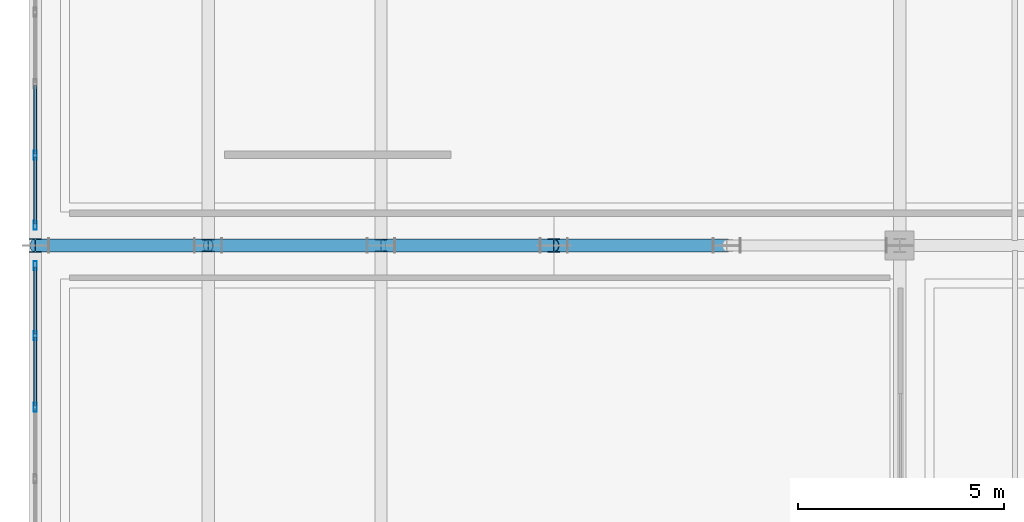
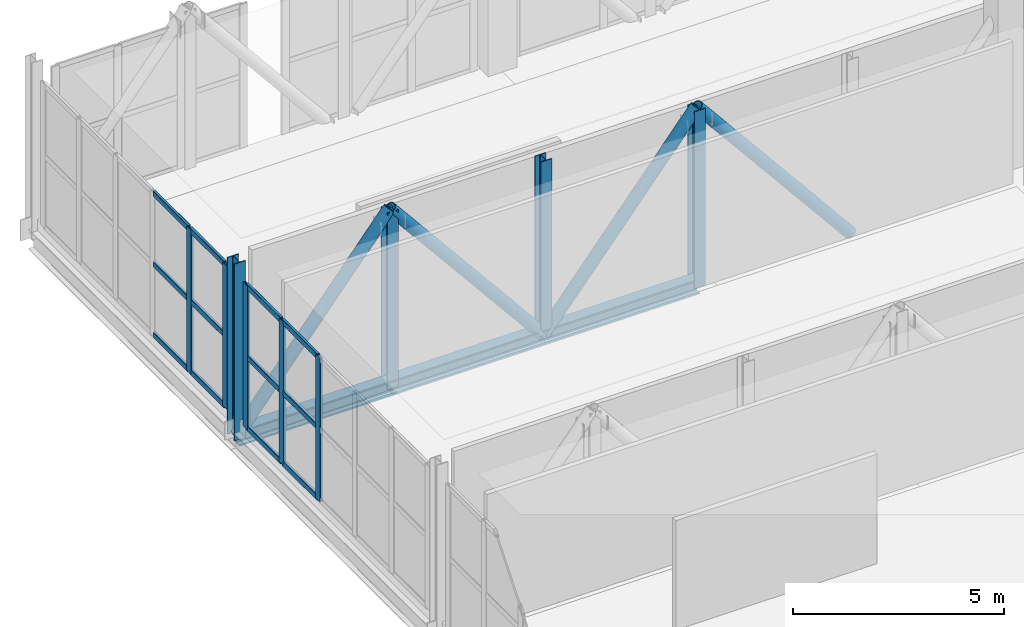
# One storey, part 8 of 77: 28 members, 2 elements without a shape of their own.
"""IFC4 building model written with IfcOpenShell, lengths in metres."""

from ifc_helpers import new_model, si_unit, direction, frame, origin, origin_2d, place, context, subcontext, project, spatial, hollow_rectangle, hollow_circle, i_section, extrude, material, layer, layer_set, material_profile, profile_set, type_object, element, aggregate, save


model = new_model("IFC4")

# Units and contexts
model_context = context("Model", 3, precision=1e-05, world=origin(), true_north=direction((0.0, 1.0)))
body_context = subcontext(model_context, "Body", "Model", "MODEL_VIEW")
ifc_project = project(units=[si_unit("LENGTHUNIT", "METRE"), si_unit("AREAUNIT", "SQUARE_METRE"), si_unit("VOLUMEUNIT", "CUBIC_METRE"), si_unit("PLANEANGLEUNIT", "RADIAN"), si_unit("MASSUNIT", "GRAM", prefix="KILO")], contexts=[model_context])

# Site, building, storey
site_placement = place(None, origin())
site = spatial("IfcSite", under=ifc_project, at=site_placement, CompositionType="ELEMENT")
building_placement = place(site_placement, origin())
building = spatial("IfcBuilding", under=site, at=building_placement, Name="Zulmaris Art Gallery", CompositionType="ELEMENT")
storey_placement = place(building_placement, frame((0.0, 0.0, 15.60009765625)))
storey = spatial("IfcBuildingStorey", under=building, at=storey_placement, Name="L03", CompositionType="ELEMENT", Elevation=15.60009765625)

# Curtain wall, members
ifc_material_1 = material(Name="Belvedere Horizon Glazed Curtain Wall", Category="aluminium")
ifc_layer = layer(ifc_material_1, 0.179931640625)
ifc_layer_set = layer_set([ifc_layer], Name="Belvedere Horizon Glazed Curtain Wall")
curtain_wall_type = type_object("IfcCurtainWallType", Name="CW-CW02", PredefinedType="NOTDEFINED", material=ifc_layer_set)
curtain_wall_1_placement = place(storey_placement, origin())
curtain_wall_1 = element("IfcCurtainWall", 1, at=curtain_wall_1_placement, inside=storey, type_object=curtain_wall_type, Name="L03 curtain wall 17", PredefinedType="NOTDEFINED")
ifc_material_2 = material(Name="Anodised Bronze Aluminium", Category="aluminium")
ifc_material_profile_1 = material_profile(ifc_material_2, hollow_rectangle(XDim=0.074951171875, YDim=0.219970703125, WallThickness=0.0048828125, InnerFilletRadius=0.007568359375, OuterFilletRadius=0.012451171875, at=origin_2d()), Name="ALU 75x220x5")
ifc_profile_set_1 = profile_set([ifc_material_profile_1], Name="Anodised Bronze Aluminium")
member_type_1 = type_object("IfcMemberType", Name="CWMUL-02", PredefinedType="MULLION", material=ifc_profile_set_1)
member_1_placement = place(storey_placement, frame((11.39990234375, 36.8701171875, 0.0), z_axis=(0.0, 0.0, 1.0), x_axis=(-1.0, 0.0, 0.0)))
member_1 = element("IfcMember", 2, at=member_1_placement, type_object=member_type_1, Name="CW02 mullion 4", PredefinedType="MULLION", context=body_context, shape_type="SweptSolid", body=[
    extrude(hollow_rectangle(XDim=0.074951171875, YDim=0.219970703125, WallThickness=0.0048828125, InnerFilletRadius=0.007568359375, OuterFilletRadius=0.012451171875, at=origin_2d()), origin(), (0.0, 0.0, 1.0), 4.159912109375),
])
member_2_placement = place(storey_placement, frame((11.39990234375, 38.610107421875, 0.0), z_axis=(0.0, 0.0, 1.0), x_axis=(-1.0, 0.0, 0.0)))
member_2 = element("IfcMember", 3, at=member_2_placement, type_object=member_type_1, Name="CW02 mullion 5", PredefinedType="MULLION", context=body_context, shape_type="SweptSolid", body=[
    extrude(hollow_rectangle(XDim=0.074951171875, YDim=0.219970703125, WallThickness=0.0048828125, InnerFilletRadius=0.007568359375, OuterFilletRadius=0.012451171875, at=origin_2d()), origin(), (0.0, 0.0, 1.0), 4.159912109375),
])
member_3_placement = place(storey_placement, frame((11.39990234375, 40.3125, 0.0), z_axis=(0.0, 0.0, 1.0), x_axis=(-1.0, 0.0, 0.0)))
member_3 = element("IfcMember", 4, at=member_3_placement, type_object=member_type_1, Name="CW02 mullion 6", PredefinedType="MULLION", context=body_context, shape_type="SweptSolid", body=[
    extrude(hollow_rectangle(XDim=0.074951171875, YDim=0.219970703125, WallThickness=0.0048828125, InnerFilletRadius=0.007568359375, OuterFilletRadius=0.012451171875, at=origin_2d()), origin(), (0.0, 0.0, 1.0), 4.159912109375),
])

curtain_wall_2_placement = place(storey_placement, origin())
curtain_wall_2 = element("IfcCurtainWall", 5, at=curtain_wall_2_placement, inside=storey, type_object=curtain_wall_type, Name="L03 curtain wall 18", PredefinedType="NOTDEFINED")
member_4_placement = place(storey_placement, frame((11.39990234375, 41.28759765625, 0.0), z_axis=(0.0, 0.0, 1.0), x_axis=(-1.0, 0.0, 0.0)))
member_4 = element("IfcMember", 6, at=member_4_placement, type_object=member_type_1, Name="CW02 mullion 1", PredefinedType="MULLION", context=body_context, shape_type="SweptSolid", body=[
    extrude(hollow_rectangle(XDim=0.074951171875, YDim=0.219970703125, WallThickness=0.0048828125, InnerFilletRadius=0.007568359375, OuterFilletRadius=0.012451171875, at=origin_2d()), origin(), (0.0, 0.0, 1.0), 4.159912109375),
])
member_5_placement = place(storey_placement, frame((11.39990234375, 42.989990234375, 0.0), z_axis=(0.0, 0.0, 1.0), x_axis=(-1.0, 0.0, 0.0)))
member_5 = element("IfcMember", 7, at=member_5_placement, type_object=member_type_1, Name="CW02 mullion 2", PredefinedType="MULLION", context=body_context, shape_type="SweptSolid", body=[
    extrude(hollow_rectangle(XDim=0.074951171875, YDim=0.219970703125, WallThickness=0.0048828125, InnerFilletRadius=0.007568359375, OuterFilletRadius=0.012451171875, at=origin_2d()), origin(), (0.0, 0.0, 1.0), 4.159912109375),
])

# Member
ifc_material_profile_2 = material_profile(ifc_material_2, hollow_rectangle(XDim=0.074951171875, YDim=0.159912109375, WallThickness=0.00390625, InnerFilletRadius=0.006103515625, OuterFilletRadius=0.010009765625, at=origin_2d()), Name="ALU 75x160x4")
ifc_profile_set_2 = profile_set([ifc_material_profile_2], Name="Anodised Bronze Aluminium")
member_type_2 = type_object("IfcMemberType", Name="CWTRN-02", PredefinedType="USERDEFINED", material=ifc_profile_set_2)
member_6_placement = place(storey_placement, frame((11.39990234375, 36.907470703125, 0.037353515625), z_axis=(0.0, 1.0, 0.0), x_axis=(-1.0, 0.0, 0.0)))
member_6 = element("IfcMember", 8, at=member_6_placement, type_object=member_type_2, Name="CW02 transom 4.1", ObjectType="TRANSOM", PredefinedType="USERDEFINED", context=body_context, shape_type="SweptSolid", body=[
    extrude(hollow_rectangle(XDim=0.074951171875, YDim=0.159912109375, WallThickness=0.00390625, InnerFilletRadius=0.006103515625, OuterFilletRadius=0.010009765625, at=origin_2d()), origin(), (0.0, 0.0, 1.0), 1.6650390625),
])

member_7_placement = place(storey_placement, frame((11.39990234375, 36.907470703125, 2.079833984375), z_axis=(0.0, 1.0, 0.0), x_axis=(-1.0, 0.0, 0.0)))
member_7 = element("IfcMember", 9, at=member_7_placement, type_object=member_type_2, Name="CW02 transom 4.2", ObjectType="TRANSOM", PredefinedType="USERDEFINED", context=body_context, shape_type="SweptSolid", body=[
    extrude(hollow_rectangle(XDim=0.074951171875, YDim=0.159912109375, WallThickness=0.00390625, InnerFilletRadius=0.006103515625, OuterFilletRadius=0.010009765625, at=origin_2d()), origin(), (0.0, 0.0, 1.0), 1.6650390625),
])

member_8_placement = place(storey_placement, frame((11.39990234375, 36.907470703125, 4.122314453125), z_axis=(0.0, 1.0, 0.0), x_axis=(-1.0, 0.0, 0.0)))
member_8 = element("IfcMember", 10, at=member_8_placement, type_object=member_type_2, Name="CW02 transom 4.3", ObjectType="TRANSOM", PredefinedType="USERDEFINED", context=body_context, shape_type="SweptSolid", body=[
    extrude(hollow_rectangle(XDim=0.074951171875, YDim=0.159912109375, WallThickness=0.00390625, InnerFilletRadius=0.006103515625, OuterFilletRadius=0.010009765625, at=origin_2d()), origin(), (0.0, 0.0, 1.0), 1.6650390625),
])

member_9_placement = place(storey_placement, frame((11.39990234375, 38.6474609375, 0.037353515625), z_axis=(0.0, 1.0, 0.0), x_axis=(-1.0, 0.0, 0.0)))
member_9 = element("IfcMember", 11, at=member_9_placement, type_object=member_type_2, Name="CW02 transom 5.1", ObjectType="TRANSOM", PredefinedType="USERDEFINED", context=body_context, shape_type="SweptSolid", body=[
    extrude(hollow_rectangle(XDim=0.074951171875, YDim=0.159912109375, WallThickness=0.00390625, InnerFilletRadius=0.006103515625, OuterFilletRadius=0.010009765625, at=origin_2d()), origin(), (0.0, 0.0, 1.0), 1.62744140625),
])

member_10_placement = place(storey_placement, frame((11.39990234375, 38.6474609375, 2.079833984375), z_axis=(0.0, 1.0, 0.0), x_axis=(-1.0, 0.0, 0.0)))
member_10 = element("IfcMember", 12, at=member_10_placement, type_object=member_type_2, Name="CW02 transom 5.2", ObjectType="TRANSOM", PredefinedType="USERDEFINED", context=body_context, shape_type="SweptSolid", body=[
    extrude(hollow_rectangle(XDim=0.074951171875, YDim=0.159912109375, WallThickness=0.00390625, InnerFilletRadius=0.006103515625, OuterFilletRadius=0.010009765625, at=origin_2d()), origin(), (0.0, 0.0, 1.0), 1.62744140625),
])

member_11_placement = place(storey_placement, frame((11.39990234375, 38.6474609375, 4.122314453125), z_axis=(0.0, 1.0, 0.0), x_axis=(-1.0, 0.0, 0.0)))
member_11 = element("IfcMember", 13, at=member_11_placement, type_object=member_type_2, Name="CW02 transom 5.3", ObjectType="TRANSOM", PredefinedType="USERDEFINED", context=body_context, shape_type="SweptSolid", body=[
    extrude(hollow_rectangle(XDim=0.074951171875, YDim=0.159912109375, WallThickness=0.00390625, InnerFilletRadius=0.006103515625, OuterFilletRadius=0.010009765625, at=origin_2d()), origin(), (0.0, 0.0, 1.0), 1.62744140625),
])

aggregate(curtain_wall_1, [member_1, member_2, member_3, member_6, member_7, member_8, member_9, member_10, member_11])

member_12_placement = place(storey_placement, frame((11.39990234375, 41.324951171875, 0.037353515625), z_axis=(0.0, 1.0, 0.0), x_axis=(-1.0, 0.0, 0.0)))
member_12 = element("IfcMember", 14, at=member_12_placement, type_object=member_type_2, Name="CW02 transom 1.1", ObjectType="TRANSOM", PredefinedType="USERDEFINED", context=body_context, shape_type="SweptSolid", body=[
    extrude(hollow_rectangle(XDim=0.074951171875, YDim=0.159912109375, WallThickness=0.00390625, InnerFilletRadius=0.006103515625, OuterFilletRadius=0.010009765625, at=origin_2d()), origin(), (0.0, 0.0, 1.0), 1.62744140625),
])

member_13_placement = place(storey_placement, frame((11.39990234375, 41.324951171875, 2.079833984375), z_axis=(0.0, 1.0, 0.0), x_axis=(-1.0, 0.0, 0.0)))
member_13 = element("IfcMember", 15, at=member_13_placement, type_object=member_type_2, Name="CW02 transom 1.2", ObjectType="TRANSOM", PredefinedType="USERDEFINED", context=body_context, shape_type="SweptSolid", body=[
    extrude(hollow_rectangle(XDim=0.074951171875, YDim=0.159912109375, WallThickness=0.00390625, InnerFilletRadius=0.006103515625, OuterFilletRadius=0.010009765625, at=origin_2d()), origin(), (0.0, 0.0, 1.0), 1.62744140625),
])

member_14_placement = place(storey_placement, frame((11.39990234375, 41.324951171875, 4.122314453125), z_axis=(0.0, 1.0, 0.0), x_axis=(-1.0, 0.0, 0.0)))
member_14 = element("IfcMember", 16, at=member_14_placement, type_object=member_type_2, Name="CW02 transom 1.3", ObjectType="TRANSOM", PredefinedType="USERDEFINED", context=body_context, shape_type="SweptSolid", body=[
    extrude(hollow_rectangle(XDim=0.074951171875, YDim=0.159912109375, WallThickness=0.00390625, InnerFilletRadius=0.006103515625, OuterFilletRadius=0.010009765625, at=origin_2d()), origin(), (0.0, 0.0, 1.0), 1.62744140625),
])

member_15_placement = place(storey_placement, frame((11.39990234375, 43.027587890625, 0.037353515625), z_axis=(0.0, 1.0, 0.0), x_axis=(-1.0, 0.0, 0.0)))
member_15 = element("IfcMember", 17, at=member_15_placement, type_object=member_type_2, Name="CW02 transom 2.1", ObjectType="TRANSOM", PredefinedType="USERDEFINED", context=body_context, shape_type="SweptSolid", body=[
    extrude(hollow_rectangle(XDim=0.074951171875, YDim=0.159912109375, WallThickness=0.00390625, InnerFilletRadius=0.006103515625, OuterFilletRadius=0.010009765625, at=origin_2d()), origin(), (0.0, 0.0, 1.0), 1.664794921875),
])

member_16_placement = place(storey_placement, frame((11.39990234375, 43.027587890625, 2.079833984375), z_axis=(0.0, 1.0, 0.0), x_axis=(-1.0, 0.0, 0.0)))
member_16 = element("IfcMember", 18, at=member_16_placement, type_object=member_type_2, Name="CW02 transom 2.2", ObjectType="TRANSOM", PredefinedType="USERDEFINED", context=body_context, shape_type="SweptSolid", body=[
    extrude(hollow_rectangle(XDim=0.074951171875, YDim=0.159912109375, WallThickness=0.00390625, InnerFilletRadius=0.006103515625, OuterFilletRadius=0.010009765625, at=origin_2d()), origin(), (0.0, 0.0, 1.0), 1.664794921875),
])

member_17_placement = place(storey_placement, frame((11.39990234375, 43.027587890625, 4.122314453125), z_axis=(0.0, 1.0, 0.0), x_axis=(-1.0, 0.0, 0.0)))
member_17 = element("IfcMember", 19, at=member_17_placement, type_object=member_type_2, Name="CW02 transom 2.3", ObjectType="TRANSOM", PredefinedType="USERDEFINED", context=body_context, shape_type="SweptSolid", body=[
    extrude(hollow_rectangle(XDim=0.074951171875, YDim=0.159912109375, WallThickness=0.00390625, InnerFilletRadius=0.006103515625, OuterFilletRadius=0.010009765625, at=origin_2d()), origin(), (0.0, 0.0, 1.0), 1.664794921875),
])

aggregate(curtain_wall_2, [member_4, member_5, member_12, member_13, member_14, member_15, member_16, member_17])

# Members
ifc_material_3 = material(Name="Steel S355J2H", Category="steel")
ifc_material_profile_3 = material_profile(ifc_material_3, hollow_circle(Radius=0.161865234375, WallThickness=0.01611328125, at=origin_2d()), Name="CHS 323.9x16")
ifc_profile_set_3 = profile_set([ifc_material_profile_3], Name="Steel S355J2H")
member_type_3 = type_object("IfcMemberType", Name="MEM-TB04", PredefinedType="BRACE", material=ifc_profile_set_3)
member_18_placement = place(storey_placement, frame((11.39990234375, 40.800048828125, -0.5361328125), z_axis=(0.634341472612, 0.0, 0.773052971099), x_axis=(0.0, 1.0, 0.0)))
element("IfcMember", 20, at=member_18_placement, inside=storey, type_object=member_type_3, Name="Cantilever truss TR-C3 diagonal 1", PredefinedType="BRACE", context=body_context, shape_type="SweptSolid", body=[
    extrude(hollow_circle(Radius=0.161865234375, WallThickness=0.01611328125, at=origin_2d()), origin(), (0.0, 0.0, 1.0), 6.621337890625),
])
for number, where, z_axis, x_axis, name in (
    (21, (15.60009765625, 40.800048828125, 4.58251953125), (0.634319436883, 0.0, -0.773071052357), (0.0, 1.0, 0.0), "Cantilever truss TR-C3 diagonal 2"),
    (22, (19.800048828125, 40.800048828125, -0.5361328125), (0.634319436883, 0.0, 0.773071052357), (0.0, 1.0, 0.0), "Cantilever truss TR-C3 diagonal 3"),
    (23, (24.0, 40.800048828125, 4.58251953125), (0.634319436883, 0.0, -0.773071052357), (0.0, 1.0, 0.0), "Cantilever truss TR-C3 diagonal 4"),
):
    element("IfcMember", number, at=place(storey_placement, frame(where, z_axis=z_axis, x_axis=x_axis)), inside=storey, type_object=member_type_3, Name=name, PredefinedType="BRACE", context=body_context, shape_type="SweptSolid", body=[
        extrude(hollow_circle(Radius=0.161865234375, WallThickness=0.01611328125, at=origin_2d()), origin(), (0.0, 0.0, 1.0), 6.62109375),
    ])
ifc_material_4 = material(Name="Steel S355J2", Category="steel")
ifc_material_profile_4 = material_profile(ifc_material_4, i_section(OverallWidth=0.306884765625, OverallDepth=0.431884765625, WebThickness=0.02099609375, FlangeThickness=0.0400390625, FilletRadius=0.027099609375, at=origin_2d()), Name="HEM 400")
ifc_profile_set_4 = profile_set([ifc_material_profile_4], Name="Steel S355J2")
member_type_4 = type_object("IfcMemberType", Name="MEM-TC05", PredefinedType="CHORD", material=ifc_profile_set_4)
member_19_placement = place(storey_placement, frame((11.39990234375, 40.800048828125, -0.5361328125), z_axis=(1.0, 0.0, 0.0), x_axis=(0.0, 1.0, 0.0)))
element("IfcMember", 24, at=member_19_placement, inside=storey, type_object=member_type_4, Name="Cantilever truss TR-C3 bottom chord 1", PredefinedType="CHORD", context=body_context, shape_type="SweptSolid", body=[
    extrude(i_section(OverallWidth=0.306884765625, OverallDepth=0.431884765625, WebThickness=0.02099609375, FlangeThickness=0.0400390625, FilletRadius=0.027099609375, at=origin_2d()), origin(), (0.0, 0.0, 1.0), 4.2001953125),
])
for number, where, z_axis, x_axis, name in (
    (25, (15.60009765625, 40.800048828125, -0.5361328125), (1.0, 0.0, 0.0), (0.0, 1.0, 0.0), "Cantilever truss TR-C3 bottom chord 2"),
    (26, (19.800048828125, 40.800048828125, -0.5361328125), (1.0, 0.0, 0.0), (0.0, 1.0, 0.0), "Cantilever truss TR-C3 bottom chord 3"),
):
    element("IfcMember", number, at=place(storey_placement, frame(where, z_axis=z_axis, x_axis=x_axis)), inside=storey, type_object=member_type_4, Name=name, PredefinedType="CHORD", context=body_context, shape_type="SweptSolid", body=[
        extrude(i_section(OverallWidth=0.306884765625, OverallDepth=0.431884765625, WebThickness=0.02099609375, FlangeThickness=0.0400390625, FilletRadius=0.027099609375, at=origin_2d()), origin(), (0.0, 0.0, 1.0), 4.199951171875),
    ])
ifc_material_profile_5 = material_profile(ifc_material_4, i_section(OverallWidth=0.300048828125, OverallDepth=0.300048828125, WebThickness=0.010986328125, FlangeThickness=0.01904296875, FilletRadius=0.027099609375, at=origin_2d()), Name="HEB 300")
ifc_profile_set_5 = profile_set([ifc_material_profile_5], Name="Steel S355J2")
member_type_5 = type_object("IfcMemberType", Name="MEM-TP03", PredefinedType="POST", material=ifc_profile_set_5)
for number, where, z_axis, x_axis, name in (
    (27, (15.60009765625, 40.800048828125, -0.5361328125), (0.0, 0.0, 1.0), (1.0, 0.0, 0.0), "Cantilever truss TR-C3 post 2"),
    (28, (19.800048828125, 40.800048828125, -0.5361328125), (0.0, 0.0, 1.0), (1.0, 0.0, 0.0), "Cantilever truss TR-C3 post 3"),
):
    element("IfcMember", number, at=place(storey_placement, frame(where, z_axis=z_axis, x_axis=x_axis)), inside=storey, type_object=member_type_5, Name=name, PredefinedType="POST", context=body_context, shape_type="SweptSolid", body=[
        extrude(i_section(OverallWidth=0.300048828125, OverallDepth=0.300048828125, WebThickness=0.010986328125, FlangeThickness=0.01904296875, FilletRadius=0.027099609375, at=origin_2d()), origin(), (0.0, 0.0, 1.0), 5.11865234375),
    ])
ifc_material_profile_6 = material_profile(ifc_material_4, i_section(OverallWidth=0.300048828125, OverallDepth=0.340087890625, WebThickness=0.011962890625, FlangeThickness=0.021484375, FilletRadius=0.027099609375, at=origin_2d()), Name="HEB 340")
ifc_profile_set_6 = profile_set([ifc_material_profile_6], Name="Steel S355J2")
member_type_6 = type_object("IfcMemberType", Name="MEM-TP04", PredefinedType="POST", material=ifc_profile_set_6)
for number, where, z_axis, x_axis, name in (
    (29, (11.39990234375, 40.800048828125, -0.5361328125), (0.0, 0.0, 1.0), (1.0, 0.0, 0.0), "Cantilever truss TR-C3 post 1"),
    (30, (24.0, 40.800048828125, -0.5361328125), (0.0, 0.0, 1.0), (1.0, 0.0, 0.0), "Cantilever truss TR-C3 post 4"),
):
    element("IfcMember", number, at=place(storey_placement, frame(where, z_axis=z_axis, x_axis=x_axis)), inside=storey, type_object=member_type_6, Name=name, PredefinedType="POST", context=body_context, shape_type="SweptSolid", body=[
        extrude(i_section(OverallWidth=0.300048828125, OverallDepth=0.340087890625, WebThickness=0.011962890625, FlangeThickness=0.021484375, FilletRadius=0.027099609375, at=origin_2d()), origin(), (0.0, 0.0, 1.0), 5.11865234375),
    ])

save(model, "model.ifc")
